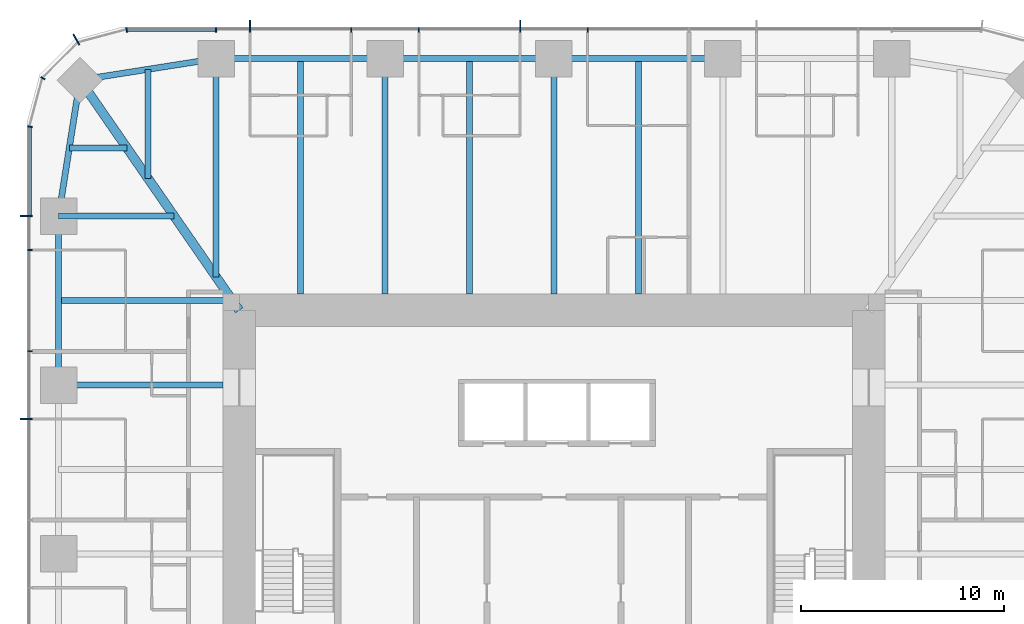
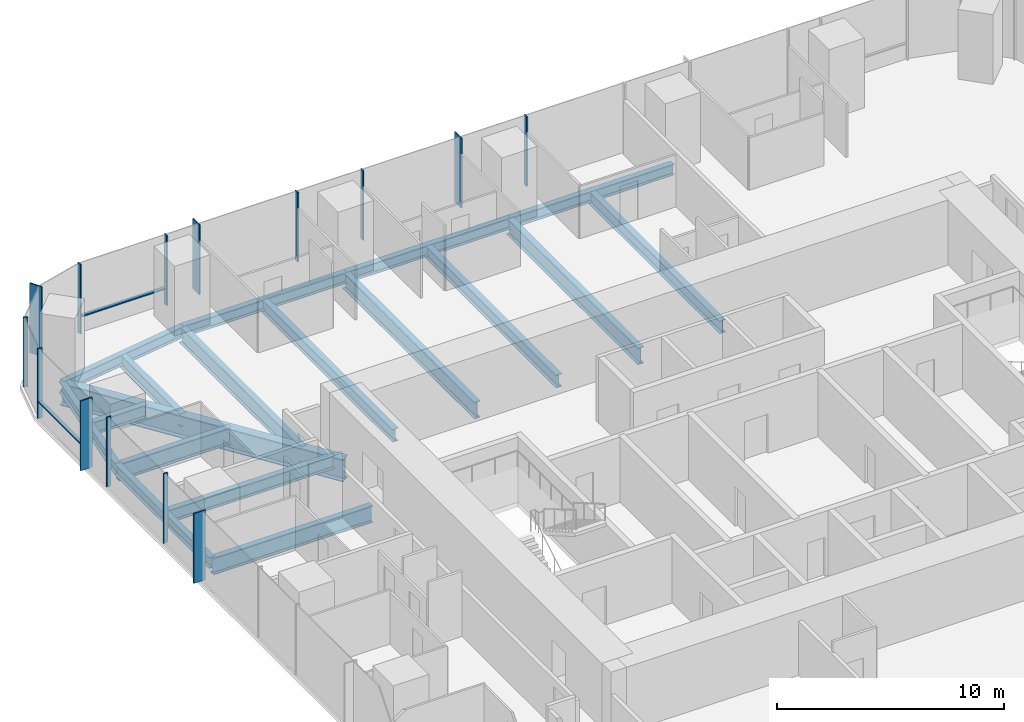
# One storey, part 5 of 12: 18 beams, 16 members, 3 elements without a shape of their own.
"""IFC4 building model written with IfcOpenShell, lengths in metres."""

from ifc_helpers import new_model, si_unit, direction, frame, origin, origin_2d, place, context, subcontext, project, spatial, rectangle, i_section, extrude, material, material_profile, profile_set, type_object, element, aggregate, save


model = new_model("IFC4")

# Units and contexts
model_context = context("Model", 3, precision=1e-05, world=origin(), true_north=direction((0.0, 1.0)))
body_context = subcontext(model_context, "Body", "Model", "MODEL_VIEW")
ifc_project = project(units=[si_unit("LENGTHUNIT", "METRE"), si_unit("AREAUNIT", "SQUARE_METRE"), si_unit("VOLUMEUNIT", "CUBIC_METRE"), si_unit("PLANEANGLEUNIT", "RADIAN"), si_unit("MASSUNIT", "GRAM", prefix="KILO")], contexts=[model_context])

# Site, building, storey
site_placement = place(None, origin())
site = spatial("IfcSite", under=ifc_project, at=site_placement, CompositionType="ELEMENT")
building_placement = place(site_placement, origin())
building = spatial("IfcBuilding", under=site, at=building_placement, Name="Khuree Lantern Residences", CompositionType="ELEMENT")
storey_placement = place(building_placement, frame((0.0, 0.0, 244.5)))
storey = spatial("IfcBuildingStorey", under=building, at=storey_placement, Name="L61", CompositionType="ELEMENT", Elevation=244.5)

# Beams
ifc_material_1 = material(Name="Steel S355", Category="steel")
ifc_material_profile_1 = material_profile(ifc_material_1, i_section(OverallWidth=0.300048828125, OverallDepth=0.68994140625, WebThickness=0.014404296875, FlangeThickness=0.027099609375, FilletRadius=0.027099609375, at=origin_2d()), Name="HE 700 A")
ifc_profile_set_1 = profile_set([ifc_material_profile_1], Name="Steel S355")
beam_type_1 = type_object("IfcBeamType", Name="B-34 SECONDARY BEAM HE 700 A", PredefinedType="BEAM", material=ifc_profile_set_1)
for number, where, z_axis, x_axis, name in (
    (1, (-12.47998046875, 24.39990234375, -0.594970703125), (0.0, -1.0, 0.0), (1.0, 0.0, 0.0), "Secondary beam N1"),
    (2, (-4.159912109375, 24.39990234375, -0.594970703125), (0.0, -1.0, 0.0), (1.0, 0.0, 0.0), "Secondary beam N2"),
    (3, (4.159912109375, 24.39990234375, -0.594970703125), (0.0, -1.0, 0.0), (1.0, 0.0, 0.0), "Secondary beam N3"),
):
    element("IfcBeam", number, at=place(storey_placement, frame(where, z_axis=z_axis, x_axis=x_axis)), inside=storey, type_object=beam_type_1, Name=name, PredefinedType="BEAM", context=body_context, shape_type="SweptSolid", body=[
        extrude(i_section(OverallWidth=0.300048828125, OverallDepth=0.68994140625, WebThickness=0.014404296875, FlangeThickness=0.027099609375, FilletRadius=0.027099609375, at=origin_2d()), origin(), (0.0, 0.0, 1.0), 11.599853515625),
    ])
beam_1_placement = place(storey_placement, frame((-24.39990234375, 12.47998046875, -0.594970703125), z_axis=(1.0, 0.0, 0.0), x_axis=(0.0, 1.0, 0.0)))
element("IfcBeam", 4, at=beam_1_placement, inside=storey, type_object=beam_type_1, Name="Secondary beam W5", PredefinedType="BEAM", context=body_context, shape_type="SweptSolid", body=[
    extrude(i_section(OverallWidth=0.300048828125, OverallDepth=0.68994140625, WebThickness=0.014404296875, FlangeThickness=0.027099609375, FilletRadius=0.027099609375, at=origin_2d()), origin(), (0.0, 0.0, 1.0), 8.56787109375),
])
beam_2_placement = place(storey_placement, frame((-23.872802734375, 19.992919921875, -0.594970703125), z_axis=(1.0, 0.0, 0.0), x_axis=(0.0, 1.0, 0.0)))
element("IfcBeam", 5, at=beam_2_placement, inside=storey, type_object=beam_type_1, Name="Secondary beam W6", PredefinedType="BEAM", context=body_context, shape_type="SweptSolid", body=[
    extrude(i_section(OverallWidth=0.300048828125, OverallDepth=0.68994140625, WebThickness=0.014404296875, FlangeThickness=0.027099609375, FilletRadius=0.027099609375, at=origin_2d()), origin(), (0.0, 0.0, 1.0), 2.845703125),
])
beam_3_placement = place(storey_placement, frame((-19.992919921875, 23.872802734375, -0.594970703125), z_axis=(0.0, -1.0, 0.0), x_axis=(1.0, 0.0, 0.0)))
element("IfcBeam", 6, at=beam_3_placement, inside=storey, type_object=beam_type_1, Name="Secondary beam N6", PredefinedType="BEAM", context=body_context, shape_type="SweptSolid", body=[
    extrude(i_section(OverallWidth=0.300048828125, OverallDepth=0.68994140625, WebThickness=0.014404296875, FlangeThickness=0.027099609375, FilletRadius=0.027099609375, at=origin_2d()), origin(), (0.0, 0.0, 1.0), 5.375732421875),
])
ifc_material_profile_2 = material_profile(ifc_material_1, i_section(OverallWidth=0.300048828125, OverallDepth=0.590087890625, WebThickness=0.012939453125, FlangeThickness=0.02490234375, FilletRadius=0.027099609375, at=origin_2d()), Name="HE 600 A")
ifc_profile_set_2 = profile_set([ifc_material_profile_2], Name="Steel S355")
beam_type_2 = type_object("IfcBeamType", Name="E-34 SPANDREL BEAM HE 600 A", PredefinedType="SPANDREL", material=ifc_profile_set_2)
beam_4_placement = place(storey_placement, frame((-16.639892578125, 24.39990234375, -0.544921875), z_axis=(1.0, 0.0, 0.0), x_axis=(0.0, 1.0, 0.0)))
element("IfcBeam", 7, at=beam_4_placement, inside=storey, type_object=beam_type_2, Name="Spandrel beam N1", PredefinedType="SPANDREL", context=body_context, shape_type="SweptSolid", body=[
    extrude(i_section(OverallWidth=0.300048828125, OverallDepth=0.590087890625, WebThickness=0.012939453125, FlangeThickness=0.02490234375, FilletRadius=0.027099609375, at=origin_2d()), origin(), (0.0, 0.0, 1.0), 8.31982421875),
])
for number, where, z_axis, x_axis, name in (
    (8, (-8.320068359375, 24.39990234375, -0.544921875), (1.0, 0.0, 0.0), (0.0, 1.0, 0.0), "Spandrel beam N2"),
    (9, (0.0, 24.39990234375, -0.544921875), (1.0, 0.0, 0.0), (0.0, 1.0, 0.0), "Spandrel beam N3"),
):
    element("IfcBeam", number, at=place(storey_placement, frame(where, z_axis=z_axis, x_axis=x_axis)), inside=storey, type_object=beam_type_2, Name=name, PredefinedType="SPANDREL", context=body_context, shape_type="SweptSolid", body=[
        extrude(i_section(OverallWidth=0.300048828125, OverallDepth=0.590087890625, WebThickness=0.012939453125, FlangeThickness=0.02490234375, FilletRadius=0.027099609375, at=origin_2d()), origin(), (0.0, 0.0, 1.0), 8.320068359375),
    ])
beam_5_placement = place(storey_placement, frame((-24.39990234375, 8.320068359375, -0.544921875), z_axis=(0.0, 1.0, 0.0), x_axis=(-1.0, 0.0, 0.0)))
element("IfcBeam", 10, at=beam_5_placement, inside=storey, type_object=beam_type_2, Name="Spandrel beam W5", PredefinedType="SPANDREL", context=body_context, shape_type="SweptSolid", body=[
    extrude(i_section(OverallWidth=0.300048828125, OverallDepth=0.590087890625, WebThickness=0.012939453125, FlangeThickness=0.02490234375, FilletRadius=0.027099609375, at=origin_2d()), origin(), (0.0, 0.0, 1.0), 8.31982421875),
])
for number, where, z_axis, x_axis, name in (
    (11, (-24.39990234375, 16.639892578125, -0.544921875), (0.155299507442, 0.98786743189, 0.0), (-0.98786743189, 0.155299507442, 0.0), "Spandrel beam W6"),
    (12, (-23.345703125, 23.345703125, -0.544921875), (0.98786743189, 0.155299507442, 0.0), (-0.155299507442, 0.98786743189, 0.0), "Spandrel beam N6"),
):
    element("IfcBeam", number, at=place(storey_placement, frame(where, z_axis=z_axis, x_axis=x_axis)), inside=storey, type_object=beam_type_2, Name=name, PredefinedType="SPANDREL", context=body_context, shape_type="SweptSolid", body=[
        extrude(i_section(OverallWidth=0.300048828125, OverallDepth=0.590087890625, WebThickness=0.012939453125, FlangeThickness=0.02490234375, FilletRadius=0.027099609375, at=origin_2d()), origin(), (0.0, 0.0, 1.0), 6.7880859375),
    ])

# Curtain wall, members
ifc_material_2 = material(Name="Bronze anodised aluminium", Category="aluminium")
curtain_wall_type_1 = type_object("IfcCurtainWallType", Name="CW-T1 TOWER FACE CURTAIN WALL", PredefinedType="USERDEFINED", material=ifc_material_2)
curtain_wall_1_placement = place(storey_placement, origin())
curtain_wall_1 = element("IfcCurtainWall", 13, at=curtain_wall_1_placement, inside=storey, type_object=curtain_wall_type_1, Name="L61 NORTH FACE CURTAIN WALL", ObjectType="Stick-built curtain wall", PredefinedType="USERDEFINED")
ifc_material_profile_3 = material_profile(ifc_material_2, rectangle(XDim=0.06494140625, YDim=0.60009765625, at=origin_2d()), Name="F1 65X600")
ifc_profile_set_3 = profile_set([ifc_material_profile_3], Name="Bronze anodised aluminium")
member_type_1 = type_object("IfcMemberType", Name="F1 BRONZE FIN MULLION TOWER 65X600", PredefinedType="MULLION", material=ifc_profile_set_3)
member_1_placement = place(storey_placement, frame((-1.6640625, 26.0, 0.0), z_axis=(0.0, 0.0, 1.0), x_axis=(-1.0, 0.0, 0.0)))
member_1 = element("IfcMember", 14, at=member_1_placement, type_object=member_type_1, Name="L61 NORTH FACE FIN MULLION 24", PredefinedType="MULLION", context=body_context, shape_type="SweptSolid", body=[
    extrude(rectangle(XDim=0.06494140625, YDim=0.60009765625, at=origin_2d()), origin(), (0.0, 0.0, 1.0), 3.75),
])
member_2_placement = place(storey_placement, frame((-14.97607421875, 26.0, 0.0), z_axis=(0.0, 0.0, 1.0), x_axis=(-1.0, 0.0, 0.0)))
member_2 = element("IfcMember", 15, at=member_2_placement, type_object=member_type_1, Name="L61 NORTH FACE FIN MULLION 27", PredefinedType="MULLION", context=body_context, shape_type="SweptSolid", body=[
    extrude(rectangle(XDim=0.06494140625, YDim=0.60009765625, at=origin_2d()), origin(), (0.0, 0.0, 1.0), 3.75),
])

# Curtain wall, member
curtain_wall_type_2 = type_object("IfcCurtainWallType", Name="CW-T2 TOWER CORNER CURTAIN WALL", PredefinedType="USERDEFINED", material=ifc_material_2)
curtain_wall_2_placement = place(storey_placement, origin())
curtain_wall_2 = element("IfcCurtainWall", 16, at=curtain_wall_2_placement, inside=storey, type_object=curtain_wall_type_2, Name="L61 NORTH-WEST CORNER CURTAIN WALL", ObjectType="Faceted corner curtain wall", PredefinedType="USERDEFINED")
member_3_placement = place(storey_placement, frame((-23.52490234375, 25.3369140625, 0.0), z_axis=(0.0, 0.0, 1.0), x_axis=(-0.866025409797, -0.499999989586, 0.0)))
member_3 = element("IfcMember", 17, at=member_3_placement, type_object=member_type_1, Name="L61 NORTH-WEST CORNER FIN MULLION 30", PredefinedType="MULLION", context=body_context, shape_type="SweptSolid", body=[
    extrude(rectangle(XDim=0.06494140625, YDim=0.60009765625, at=origin_2d()), origin(), (0.0, 0.0, 1.0), 3.75),
])

# Curtain wall, members
curtain_wall_3_placement = place(storey_placement, origin())
curtain_wall_3 = element("IfcCurtainWall", 18, at=curtain_wall_3_placement, inside=storey, type_object=curtain_wall_type_1, Name="L61 WEST FACE CURTAIN WALL", ObjectType="Stick-built curtain wall", PredefinedType="USERDEFINED")
member_4_placement = place(storey_placement, frame((-26.0, 16.639892578125, 0.0), z_axis=(0.0, 0.0, 1.0), x_axis=(0.0, -1.0, 0.0)))
member_4 = element("IfcMember", 19, at=member_4_placement, type_object=member_type_1, Name="L61 WEST FACE FIN MULLION 33", PredefinedType="MULLION", context=body_context, shape_type="SweptSolid", body=[
    extrude(rectangle(XDim=0.06494140625, YDim=0.60009765625, at=origin_2d()), origin(), (0.0, 0.0, 1.0), 3.75),
])
member_5_placement = place(storey_placement, frame((-26.0, 6.656005859375, 0.0), z_axis=(0.0, 0.0, 1.0), x_axis=(0.0, -1.0, 0.0)))
member_5 = element("IfcMember", 20, at=member_5_placement, type_object=member_type_1, Name="L61 WEST FACE FIN MULLION 36", PredefinedType="MULLION", context=body_context, shape_type="SweptSolid", body=[
    extrude(rectangle(XDim=0.06494140625, YDim=0.60009765625, at=origin_2d()), origin(), (0.0, 0.0, 1.0), 3.75),
])

# Beams
ifc_material_profile_4 = material_profile(ifc_material_1, i_section(OverallWidth=0.300048828125, OverallDepth=0.89990234375, WebThickness=0.0185546875, FlangeThickness=0.034912109375, FilletRadius=0.030029296875, at=origin_2d()), Name="HE 900 B")
ifc_profile_set_4 = profile_set([ifc_material_profile_4], Name="Steel S355")
beam_type_3 = type_object("IfcBeamType", Name="G-34 GIRDER HE 900 B", PredefinedType="BEAM", material=ifc_profile_set_4)
beam_6_placement = place(storey_placement, frame((-16.639892578125, 24.39990234375, -0.699951171875), z_axis=(0.0, -1.0, 0.0), x_axis=(1.0, 0.0, 0.0)))
element("IfcBeam", 21, at=beam_6_placement, inside=storey, type_object=beam_type_3, Name="Girder N1", PredefinedType="BEAM", context=body_context, shape_type="SweptSolid", body=[
    extrude(i_section(OverallWidth=0.300048828125, OverallDepth=0.89990234375, WebThickness=0.0185546875, FlangeThickness=0.034912109375, FilletRadius=0.030029296875, at=origin_2d()), origin(), (0.0, 0.0, 1.0), 10.751220703125),
])
for number, where, z_axis, x_axis, name in (
    (22, (-8.320068359375, 24.39990234375, -0.699951171875), (0.0, -1.0, 0.0), (1.0, 0.0, 0.0), "Girder N2"),
    (23, (0.0, 24.39990234375, -0.699951171875), (0.0, -1.0, 0.0), (1.0, 0.0, 0.0), "Girder N3"),
):
    element("IfcBeam", number, at=place(storey_placement, frame(where, z_axis=z_axis, x_axis=x_axis)), inside=storey, type_object=beam_type_3, Name=name, PredefinedType="BEAM", context=body_context, shape_type="SweptSolid", body=[
        extrude(i_section(OverallWidth=0.300048828125, OverallDepth=0.89990234375, WebThickness=0.0185546875, FlangeThickness=0.034912109375, FilletRadius=0.030029296875, at=origin_2d()), origin(), (0.0, 0.0, 1.0), 11.599853515625),
    ])
beam_7_placement = place(storey_placement, frame((-24.39990234375, 8.320068359375, -0.699951171875), z_axis=(1.0, 0.0, 0.0), x_axis=(0.0, 1.0, 0.0)))
element("IfcBeam", 24, at=beam_7_placement, inside=storey, type_object=beam_type_3, Name="Girder W4", PredefinedType="BEAM", context=body_context, shape_type="SweptSolid", body=[
    extrude(i_section(OverallWidth=0.300048828125, OverallDepth=0.89990234375, WebThickness=0.0185546875, FlangeThickness=0.034912109375, FilletRadius=0.030029296875, at=origin_2d()), origin(), (0.0, 0.0, 1.0), 8.099853515625),
])
beam_8_placement = place(storey_placement, frame((-24.39990234375, 16.639892578125, -0.699951171875), z_axis=(1.0, 0.0, 0.0), x_axis=(0.0, 1.0, 0.0)))
element("IfcBeam", 25, at=beam_8_placement, inside=storey, type_object=beam_type_3, Name="Girder W5", PredefinedType="BEAM", context=body_context, shape_type="SweptSolid", body=[
    extrude(i_section(OverallWidth=0.300048828125, OverallDepth=0.89990234375, WebThickness=0.0185546875, FlangeThickness=0.034912109375, FilletRadius=0.030029296875, at=origin_2d()), origin(), (0.0, 0.0, 1.0), 5.69140625),
])
ifc_material_profile_5 = material_profile(ifc_material_1, i_section(OverallWidth=0.449951171875, OverallDepth=1.199951171875, WebThickness=0.02490234375, FlangeThickness=0.044921875, at=origin_2d()), Name="WELDED I 1200X450X25X45")
ifc_profile_set_5 = profile_set([ifc_material_profile_5], Name="Steel S355")
beam_type_4 = type_object("IfcBeamType", Name="GD-34 CORNER GIRDER WELDED I 1200X450X25X45", PredefinedType="BEAM", material=ifc_profile_set_5)
beam_9_placement = place(storey_placement, frame((-23.345703125, 23.345703125, -0.85009765625), z_axis=(0.56876813501, -0.822497907959, 0.0), x_axis=(0.822497907959, 0.56876813501, 0.0)))
element("IfcBeam", 26, at=beam_9_placement, inside=storey, type_object=beam_type_4, Name="Corner girder NW", PredefinedType="BEAM", context=body_context, shape_type="SweptSolid", body=[
    extrude(i_section(OverallWidth=0.449951171875, OverallDepth=1.199951171875, WebThickness=0.02490234375, FlangeThickness=0.044921875, at=origin_2d()), origin(), (0.0, 0.0, 1.0), 13.794189453125),
])

# Member
ifc_material_profile_6 = material_profile(ifc_material_2, rectangle(XDim=0.06494140625, YDim=0.219970703125, at=origin_2d()), Name="M1 65X220")
ifc_profile_set_6 = profile_set([ifc_material_profile_6], Name="Bronze anodised aluminium")
member_type_2 = type_object("IfcMemberType", Name="M1 BRONZE MULLION TOWER 65X220", PredefinedType="MULLION", material=ifc_profile_set_6)
member_6_placement = place(storey_placement, frame((1.6640625, 25.81005859375, 0.0), z_axis=(0.0, 0.0, 1.0), x_axis=(-1.0, 0.0, 0.0)))
member_6 = element("IfcMember", 27, at=member_6_placement, type_object=member_type_2, Name="L61 NORTH FACE MULLION 23", PredefinedType="MULLION", context=body_context, shape_type="SweptSolid", body=[
    extrude(rectangle(XDim=0.06494140625, YDim=0.219970703125, at=origin_2d()), origin(), (0.0, 0.0, 1.0), 3.75),
])

member_7_placement = place(storey_placement, frame((-6.656005859375, 25.81005859375, 0.0), z_axis=(0.0, 0.0, 1.0), x_axis=(-1.0, 0.0, 0.0)))
member_7 = element("IfcMember", 28, at=member_7_placement, type_object=member_type_2, Name="L61 NORTH FACE MULLION 25", PredefinedType="MULLION", context=body_context, shape_type="SweptSolid", body=[
    extrude(rectangle(XDim=0.06494140625, YDim=0.219970703125, at=origin_2d()), origin(), (0.0, 0.0, 1.0), 3.75),
])

member_8_placement = place(storey_placement, frame((-9.98388671875, 25.81005859375, 0.0), z_axis=(0.0, 0.0, 1.0), x_axis=(-1.0, 0.0, 0.0)))
member_8 = element("IfcMember", 29, at=member_8_placement, type_object=member_type_2, Name="L61 NORTH FACE MULLION 26", PredefinedType="MULLION", context=body_context, shape_type="SweptSolid", body=[
    extrude(rectangle(XDim=0.06494140625, YDim=0.219970703125, at=origin_2d()), origin(), (0.0, 0.0, 1.0), 3.75),
])

member_9_placement = place(storey_placement, frame((-16.639892578125, 25.81005859375, 0.0), z_axis=(0.0, 0.0, 1.0), x_axis=(-1.0, 0.0, 0.0)))
member_9 = element("IfcMember", 30, at=member_9_placement, type_object=member_type_2, Name="L61 NORTH FACE MULLION 28", PredefinedType="MULLION", context=body_context, shape_type="SweptSolid", body=[
    extrude(rectangle(XDim=0.06494140625, YDim=0.219970703125, at=origin_2d()), origin(), (0.0, 0.0, 1.0), 3.75),
])

member_10_placement = place(storey_placement, frame((-21.044921875, 25.811767578125, 0.0), z_axis=(0.0, 0.0, 1.0), x_axis=(-0.991444862943, -0.130526180298, 0.0)))
member_10 = element("IfcMember", 31, at=member_10_placement, type_object=member_type_2, Name="L61 NORTH-WEST CORNER MULLION 29", PredefinedType="MULLION", context=body_context, shape_type="SweptSolid", body=[
    extrude(rectangle(XDim=0.06494140625, YDim=0.219970703125, at=origin_2d()), origin(), (0.0, 0.0, 1.0), 3.75),
])

member_11_placement = place(storey_placement, frame((-25.17236328125, 23.429931640625, 0.0), z_axis=(0.0, 0.0, 1.0), x_axis=(-0.499999989586, -0.866025409797, 0.0)))
member_11 = element("IfcMember", 32, at=member_11_placement, type_object=member_type_2, Name="L61 NORTH-WEST CORNER MULLION 31", PredefinedType="MULLION", context=body_context, shape_type="SweptSolid", body=[
    extrude(rectangle(XDim=0.06494140625, YDim=0.219970703125, at=origin_2d()), origin(), (0.0, 0.0, 1.0), 3.75),
])

aggregate(curtain_wall_2, [member_10, member_3, member_11])

member_12_placement = place(storey_placement, frame((-25.811767578125, 21.044921875, 0.0), z_axis=(0.0, 0.0, 1.0), x_axis=(-0.130526180298, -0.991444862943, 0.0)))
member_12 = element("IfcMember", 33, at=member_12_placement, type_object=member_type_2, Name="L61 WEST FACE MULLION 32", PredefinedType="MULLION", context=body_context, shape_type="SweptSolid", body=[
    extrude(rectangle(XDim=0.06494140625, YDim=0.219970703125, at=origin_2d()), origin(), (0.0, 0.0, 1.0), 3.75),
])

member_13_placement = place(storey_placement, frame((-25.81005859375, 14.97607421875, 0.0), z_axis=(0.0, 0.0, 1.0), x_axis=(0.0, -1.0, 0.0)))
member_13 = element("IfcMember", 34, at=member_13_placement, type_object=member_type_2, Name="L61 WEST FACE MULLION 34", PredefinedType="MULLION", context=body_context, shape_type="SweptSolid", body=[
    extrude(rectangle(XDim=0.06494140625, YDim=0.219970703125, at=origin_2d()), origin(), (0.0, 0.0, 1.0), 3.75),
])

member_14_placement = place(storey_placement, frame((-25.81005859375, 9.98388671875, 0.0), z_axis=(0.0, 0.0, 1.0), x_axis=(0.0, -1.0, 0.0)))
member_14 = element("IfcMember", 35, at=member_14_placement, type_object=member_type_2, Name="L61 WEST FACE MULLION 35", PredefinedType="MULLION", context=body_context, shape_type="SweptSolid", body=[
    extrude(rectangle(XDim=0.06494140625, YDim=0.219970703125, at=origin_2d()), origin(), (0.0, 0.0, 1.0), 3.75),
])

ifc_material_profile_7 = material_profile(ifc_material_2, rectangle(XDim=0.179931640625, YDim=0.06494140625, at=origin_2d()), Name="T1 180X65")
ifc_profile_set_7 = profile_set([ifc_material_profile_7], Name="Bronze anodised aluminium")
member_type_3 = type_object("IfcMemberType", Name="TRANSOM T1 TOWER 180X65", PredefinedType="USERDEFINED", material=ifc_profile_set_7)
member_15_placement = place(storey_placement, frame((-16.672607421875, 25.820068359375, 0.89990234375), z_axis=(-1.0, 0.0, 0.0), x_axis=(0.0, -1.0, 0.0)))
member_15 = element("IfcMember", 36, at=member_15_placement, type_object=member_type_3, Name="L61 NORTH FACE TRANSOM 28.1", ObjectType="Transom", PredefinedType="USERDEFINED", context=body_context, shape_type="SweptSolid", body=[
    extrude(rectangle(XDim=0.179931640625, YDim=0.06494140625, at=origin_2d()), origin(), (0.0, 0.0, 1.0), 4.328857421875),
])

aggregate(curtain_wall_1, [member_6, member_1, member_7, member_8, member_2, member_9, member_15])

member_16_placement = place(storey_placement, frame((-25.820068359375, 21.00146484375, 0.89990234375), z_axis=(0.0, -1.0, 0.0), x_axis=(1.0, 0.0, 0.0)))
member_16 = element("IfcMember", 37, at=member_16_placement, type_object=member_type_3, Name="L61 WEST FACE TRANSOM 32.1", ObjectType="Transom", PredefinedType="USERDEFINED", context=body_context, shape_type="SweptSolid", body=[
    extrude(rectangle(XDim=0.179931640625, YDim=0.06494140625, at=origin_2d()), origin(), (0.0, 0.0, 1.0), 4.328857421875),
])

aggregate(curtain_wall_3, [member_12, member_4, member_13, member_14, member_5, member_16])

save(model, "model.ifc")
